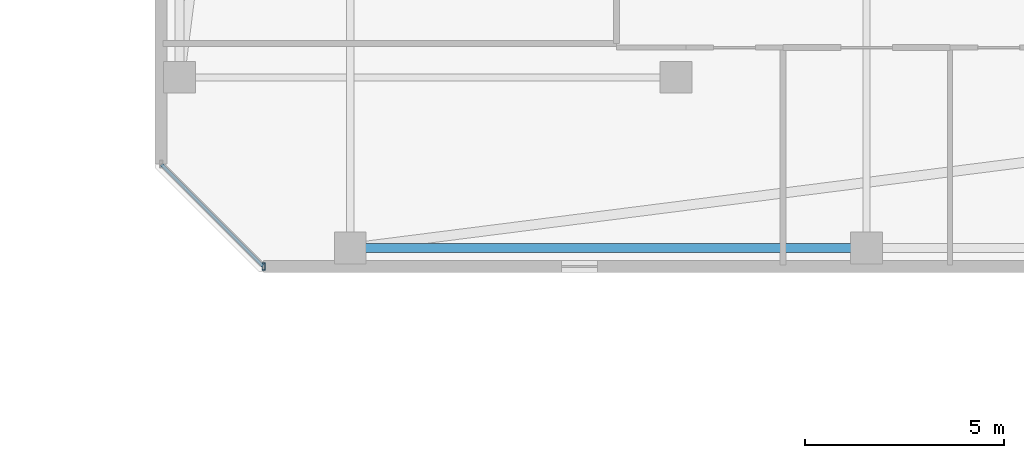
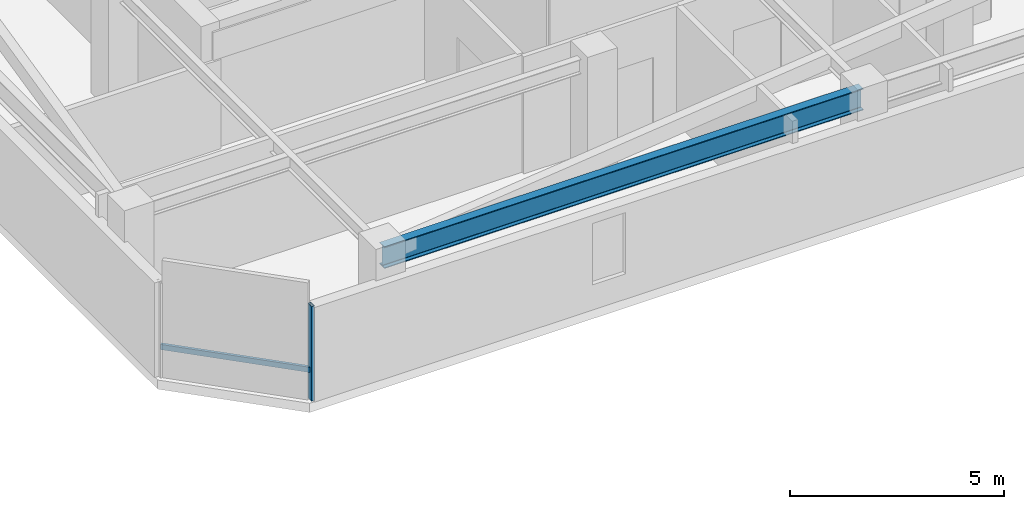
# One storey, part 14 of 34: 2 members, 1 beam, 1 element without a shape of its own.
"""IFC4 building model written with IfcOpenShell, lengths in metres."""

import ifcopenshell
import ifcopenshell.guid

model = None  # the IFC model being written
_history = None  # IfcOwnerHistory: only IFC2X3 demands one
_inside = {}  # id of a spatial element -> (the spatial element, [elements in it])
_under = {}  # id of a project, library or spatial element -> (it, [spatial elements below it])
_declared = {}  # id of a project -> (the project, [libraries it declares])
_typed = {}  # id of a type object -> (the type object, [elements of that type])
_made_of = {}  # id of a material, layer set ... -> (it, [elements and type objects made of it])


def new_model(schema):
    """Start an empty IFC model of exactly this schema.

    Asked for "IFC4X3", IfcOpenShell would pick the latest addendum, in which some entities
    have other attributes; the version numbers below select the first issue.
    IFC2X3 requires an IfcOwnerHistory on every rooted entity: one is made here for all.
    """
    global model, _history
    if schema == "IFC4X3":
        model = ifcopenshell.file(schema_version=(4, 3, 0, 0))
    else:
        model = ifcopenshell.file(schema=schema)
    _inside.clear()
    _under.clear()
    _declared.clear()
    _typed.clear()
    _made_of.clear()
    _history = None
    if model.schema == "IFC2X3":
        org = make("IfcOrganization", Name="unknown")
        user = make(
            "IfcPersonAndOrganization",
            ThePerson=make("IfcPerson", FamilyName="unknown"),
            TheOrganization=org,
        )
        app = make(
            "IfcApplication",
            ApplicationDeveloper=org,
            Version="unknown",
            ApplicationFullName="unknown",
            ApplicationIdentifier="unknown",
        )
        _history = make(
            "IfcOwnerHistory",
            OwningUser=user,
            OwningApplication=app,
            ChangeAction="ADDED",
            CreationDate=0,
        )
    return model


def make(cls, **values):
    """One entity of the class cls with the attributes given. An attribute that is None is left unset."""
    return model.create_entity(
        cls, **{name: value for name, value in values.items() if value is not None}
    )


def rooted(cls, **values):
    """An entity with a GlobalId (a new one), such as an element, a storey or a relation."""
    return make(cls, GlobalId=ifcopenshell.guid.new(), OwnerHistory=_history, **values)


def si_unit(unit_type, name, prefix=None):
    """IfcSIUnit, for example si_unit("LENGTHUNIT", "METRE", prefix="MILLI")."""
    return make("IfcSIUnit", UnitType=unit_type, Prefix=prefix, Name=name)


def assignment(units):
    """IfcUnitAssignment: the units of a project."""
    return None if units is None else make("IfcUnitAssignment", Units=units)


def point(xyz):
    """IfcCartesianPoint."""
    return None if xyz is None else make("IfcCartesianPoint", Coordinates=xyz)


def direction(xyz):
    """IfcDirection."""
    return None if xyz is None else make("IfcDirection", DirectionRatios=xyz)


def frame(location, z_axis=None, x_axis=None):
    """IfcAxis2Placement3D, a coordinate frame: its origin and axes. An axis left out is left unset."""
    return make(
        "IfcAxis2Placement3D",
        Location=point(location),
        Axis=direction(z_axis),
        RefDirection=direction(x_axis),
    )


def frame_2d(location, x_axis=None):
    """IfcAxis2Placement2D, a coordinate frame in the plane: its origin and x axis."""
    return make(
        "IfcAxis2Placement2D", Location=point(location), RefDirection=direction(x_axis)
    )


def origin():
    """The frame at (0, 0, 0) with its axes left unset."""
    return frame((0.0, 0.0, 0.0))


def origin_2d():
    """The frame at (0, 0) in the plane with its x axis left unset."""
    return frame_2d((0.0, 0.0))


def place(relative_to, where):
    """IfcLocalPlacement: puts the frame where relative to a parent placement (None: the world)."""
    return make(
        "IfcLocalPlacement", PlacementRelTo=relative_to, RelativePlacement=where
    )


def context(
    kind, dimensions, precision=None, world=None, true_north=None, identifier=None
):
    """IfcGeometricRepresentationContext, for example the 3D "Model" context."""
    return make(
        "IfcGeometricRepresentationContext",
        ContextIdentifier=identifier,
        ContextType=kind,
        CoordinateSpaceDimension=dimensions,
        Precision=precision,
        WorldCoordinateSystem=world,
        TrueNorth=true_north,
    )


def subcontext(parent, identifier, kind, view, scale=None):
    """IfcGeometricRepresentationSubContext, for example "Body" below "Model"."""
    return make(
        "IfcGeometricRepresentationSubContext",
        ContextIdentifier=identifier,
        ContextType=kind,
        ParentContext=parent,
        TargetScale=scale,
        TargetView=view,
    )


def project(units=None, contexts=None):
    """IfcProject with its units and contexts."""
    return rooted(
        "IfcProject",
        Name="project",
        RepresentationContexts=contexts,
        UnitsInContext=assignment(units),
    )


def spatial(cls, under=None, at=None, **own):
    """A site, building, storey or space (cls), placed at a placement, below another one or the project."""
    s = rooted(cls, ObjectPlacement=at, **own)
    if under is not None:
        _under.setdefault(under.id(), (under, []))[1].append(s)
    return s


def profile(cls, at=None, kind="AREA", **sizes):
    """A parametric profile (cls). Its sizes go by their IFC names, for example OverallWidth=200.0."""
    return make(cls, ProfileType=kind, Position=at, **sizes)


def hollow_rectangle(**sizes):
    """IfcRectangleHollowProfileDef."""
    return profile("IfcRectangleHollowProfileDef", **sizes)


def i_section(**sizes):
    """IfcIShapeProfileDef."""
    return profile("IfcIShapeProfileDef", **sizes)


def extrude(swept, where, along, depth):
    """IfcExtrudedAreaSolid: the profile swept, set in the frame where, extruded along a direction by depth."""
    return make(
        "IfcExtrudedAreaSolid",
        SweptArea=swept,
        Position=where,
        ExtrudedDirection=direction(along),
        Depth=depth,
    )


def shape(context_of_items, identifier, shape_type, items):
    """IfcShapeRepresentation: the items that make up one representation, for example the "Body"."""
    return make(
        "IfcShapeRepresentation",
        ContextOfItems=context_of_items,
        RepresentationIdentifier=identifier,
        RepresentationType=shape_type,
        Items=items,
    )


def material(Name=None, Category=None):
    """IfcMaterial."""
    return make("IfcMaterial", Name=Name, Category=Category)


def material_profile(
    of_material, cross_section, Name=None, Category=None, Priority=None
):
    """IfcMaterialProfile: a cross section and its material."""
    return make(
        "IfcMaterialProfile",
        Name=Name,
        Material=of_material,
        Profile=cross_section,
        Priority=Priority,
        Category=Category,
    )


def profile_set(profiles, Name=None, composite=None):
    """IfcMaterialProfileSet."""
    return make(
        "IfcMaterialProfileSet",
        Name=Name,
        MaterialProfiles=profiles,
        CompositeProfile=composite,
    )


def made_of(thing, what):
    """Note that an element or type object is made of a material, layer set ...; save() writes the relation."""
    if what is not None:
        _made_of.setdefault(what.id(), (what, []))[1].append(thing)
    return thing


def type_object(cls, material=None, **own):
    """A type object (cls), such as IfcWallType, which elements share."""
    return made_of(rooted(cls, **own), material)


def element(
    cls,
    number,
    at=None,
    inside=None,
    cuts=None,
    type_object=None,
    material=None,
    context=None,
    identifier="Body",
    shape_type=None,
    held_by="IfcProductDefinitionShape",
    body=None,
    shapes=None,
    **own,
):
    """One element of the class cls, such as IfcWall. Its Tag is "e" and its number.

    at: its placement. inside: the storey or other place that contains it. cuts: it is an
    opening in that element (IfcRelVoidsElement). A single representation is given by context,
    identifier, shape_type and body (its items); several are given by shapes. held_by: the class
    of the entity that holds the representations. save() writes the other relations.
    """
    e = rooted(cls, Tag="e%d" % number, ObjectPlacement=at, **own)
    if body is not None:
        shapes = [shape(context, identifier, shape_type, body)]
    if shapes is not None:
        e.Representation = make(held_by, Representations=shapes)
    if inside is not None:
        _inside.setdefault(inside.id(), (inside, []))[1].append(e)
    if cuts is not None:
        rooted(
            "IfcRelVoidsElement", RelatingBuildingElement=cuts, RelatedOpeningElement=e
        )
    if type_object is not None:
        _typed.setdefault(type_object.id(), (type_object, []))[1].append(e)
    return made_of(e, material)


def aggregate(whole, parts):
    """IfcRelAggregates: a whole, such as a stair, and the parts it consists of."""
    return rooted("IfcRelAggregates", RelatingObject=whole, RelatedObjects=parts)


def save(model, path):
    """Write the relations noted so far, then the file.

    IfcRelAggregates (storeys below a building ...), IfcRelContainedInSpatialStructure (elements
    in a storey), IfcRelDefinesByType, IfcRelAssociatesMaterial and IfcRelDeclares: one each for
    every whole, place, type object, material and project.
    """
    for whole, parts in _under.values():
        aggregate(whole, parts)
    for where, things in _inside.values():
        rooted(
            "IfcRelContainedInSpatialStructure",
            RelatedElements=things,
            RelatingStructure=where,
        )
    for kind, things in _typed.values():
        rooted("IfcRelDefinesByType", RelatedObjects=things, RelatingType=kind)
    for what, things in _made_of.values():
        rooted("IfcRelAssociatesMaterial", RelatedObjects=things, RelatingMaterial=what)
    for by, libraries in _declared.values():
        rooted("IfcRelDeclares", RelatingContext=by, RelatedDefinitions=libraries)
    model.write(path)


model = new_model("IFC4")

# Units and contexts
model_context = context("Model", 3, precision=1e-05, world=origin(), true_north=direction((0.0, 1.0)))
body_context = subcontext(model_context, "Body", "Model", "MODEL_VIEW")
ifc_project = project(units=[si_unit("LENGTHUNIT", "METRE"), si_unit("AREAUNIT", "SQUARE_METRE"), si_unit("VOLUMEUNIT", "CUBIC_METRE"), si_unit("PLANEANGLEUNIT", "RADIAN"), si_unit("MASSUNIT", "GRAM", prefix="KILO")], contexts=[model_context])

# Site, building, storey
site_placement = place(None, origin())
site = spatial("IfcSite", under=ifc_project, at=site_placement, CompositionType="ELEMENT")
building_placement = place(site_placement, origin())
building = spatial("IfcBuilding", under=site, at=building_placement, Name="Thornwick Lancets Civic Towers", CompositionType="ELEMENT")
storey_placement = place(building_placement, frame((0.0, 0.0, 258.300048828125)))
storey = spatial("IfcBuildingStorey", under=building, at=storey_placement, Name="L69", CompositionType="ELEMENT", Elevation=258.300048828125)

# Beam
ifc_material_1 = material(Name="Steel S355JR", Category="steel")
ifc_material_profile_1 = material_profile(ifc_material_1, i_section(OverallWidth=0.230224609375, OverallDepth=0.6171875, WebThickness=0.01318359375, FlangeThickness=0.022216796875, FilletRadius=0.0126953125, at=origin_2d()), Name="UKB 610x229x140")
ifc_profile_set_1 = profile_set([ifc_material_profile_1], Name="Steel S355JR")
beam_type = type_object("IfcBeamType", Name="BM_GIRD_610_140", PredefinedType="BEAM", material=ifc_profile_set_1)
beam_placement = place(storey_placement, frame((88.419921875, 9.699951171875, 3.05126953125), z_axis=(-1.0, 0.0, 0.0), x_axis=(0.0, -1.0, 0.0)))
element("IfcBeam", 1, at=beam_placement, inside=storey, type_object=beam_type, Name="BM-SPINE-L69-B-10-11", PredefinedType="BEAM", context=body_context, shape_type="SweptSolid", body=[
    extrude(i_section(OverallWidth=0.230224609375, OverallDepth=0.6171875, WebThickness=0.01318359375, FlangeThickness=0.022216796875, FilletRadius=0.0126953125, at=origin_2d()), origin(), (0.0, 0.0, 1.0), 12.919921875),
])

# Curtain wall, members
ifc_material_2 = material(Name="High-zone chamfered-corner unitised glass curtain wall", Category="glass")
curtain_wall_type = type_object("IfcCurtainWallType", Name="CW_SYS_05", PredefinedType="NOTDEFINED", material=ifc_material_2)
curtain_wall_placement = place(storey_placement, origin())
curtain_wall = element("IfcCurtainWall", 2, at=curtain_wall_placement, inside=storey, type_object=curtain_wall_type, Name="L69 Curtain Wall CW-L69-B-E7", PredefinedType="NOTDEFINED")
ifc_material_3 = material(Name="Thermally broken bronze aluminium S355", Category="steel")
ifc_material_profile_2 = material_profile(ifc_material_3, hollow_rectangle(XDim=0.074951171875, YDim=0.179931640625, WallThickness=0.006103515625, at=origin_2d()), Name="RHS 180x75x6")
ifc_profile_set_2 = profile_set([ifc_material_profile_2], Name="Thermally broken bronze aluminium S355")
member_type_1 = type_object("IfcMemberType", Name="CW_MUL_180", PredefinedType="MULLION", material=ifc_profile_set_2)
member_1_placement = place(storey_placement, frame((73.318603515625, 9.2353515625, 0.0), z_axis=(0.0, 0.0, 1.0), x_axis=(1.0, 0.0, 0.0)))
member_1 = element("IfcMember", 3, at=member_1_placement, type_object=member_type_1, Name="CW-L69-B-E7 Mullion 1", PredefinedType="MULLION", context=body_context, shape_type="SweptSolid", body=[
    extrude(hollow_rectangle(XDim=0.074951171875, YDim=0.179931640625, WallThickness=0.006103515625, at=origin_2d()), origin(), (0.0, 0.0, 1.0), 2.699951171875),
])
ifc_material_profile_3 = material_profile(ifc_material_3, hollow_rectangle(XDim=0.074951171875, YDim=0.14990234375, WallThickness=0.0048828125, at=origin_2d()), Name="RHS 150x75x5")
ifc_profile_set_3 = profile_set([ifc_material_profile_3], Name="Thermally broken bronze aluminium S355")
member_type_2 = type_object("IfcMemberType", Name="CW_TRN_150", PredefinedType="USERDEFINED", material=ifc_profile_set_3)
member_2_placement = place(storey_placement, frame((70.74951171875, 11.804443359375, 0.849853515625), z_axis=(0.707106781187, -0.707106781187, 0.0), x_axis=(0.707106781187, 0.707106781187, 0.0)))
member_2 = element("IfcMember", 4, at=member_2_placement, type_object=member_type_2, Name="CW-L69-B-E7 Transom 0", ObjectType="TRANSOM", PredefinedType="USERDEFINED", context=body_context, shape_type="SweptSolid", body=[
    extrude(hollow_rectangle(XDim=0.074951171875, YDim=0.14990234375, WallThickness=0.0048828125, at=origin_2d()), origin(), (0.0, 0.0, 1.0), 3.61328125),
])
aggregate(curtain_wall, [member_1, member_2])

save(model, "model.ifc")
